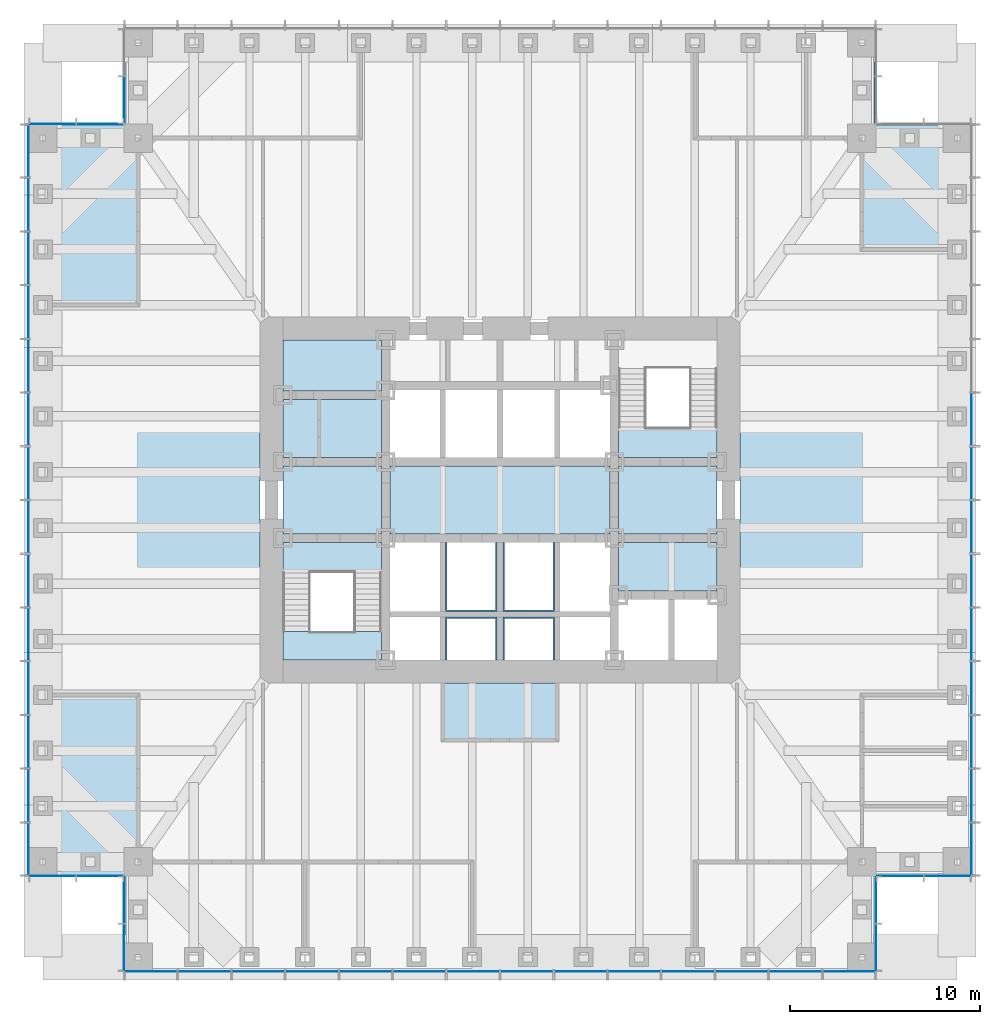
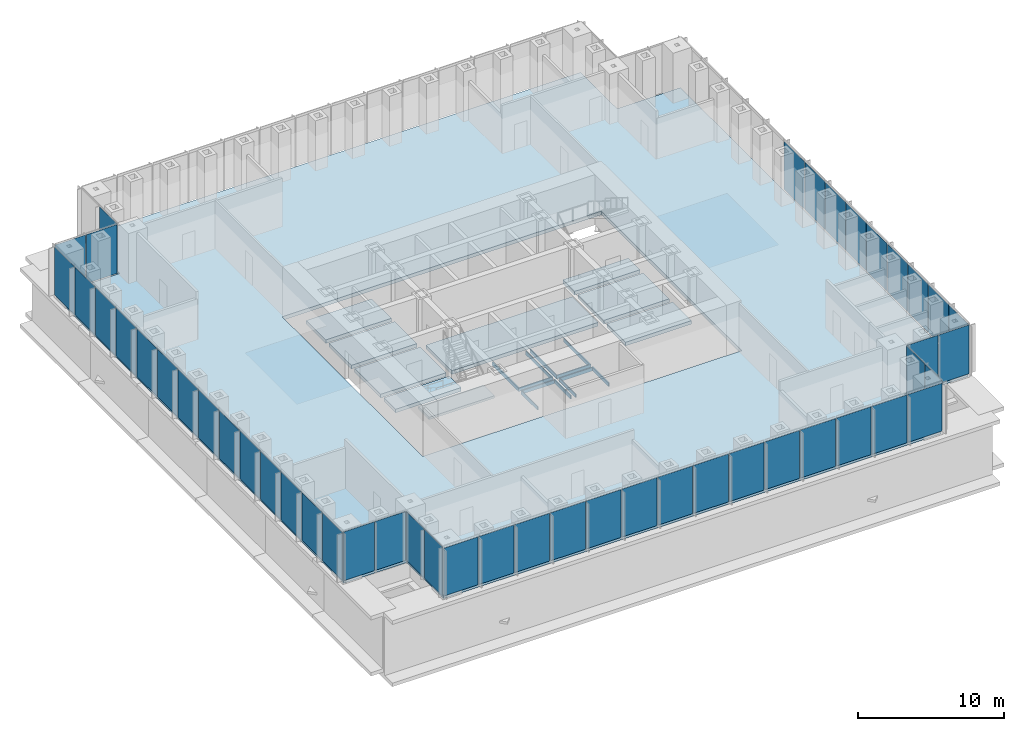
# One storey, part 7 of 16: 48 plates, 14 slabs, 10 elements without a shape of their own.
"""IFC4 building model written with IfcOpenShell, lengths in metres."""

import ifcopenshell
import ifcopenshell.guid

model = None  # the IFC model being written
_history = None  # IfcOwnerHistory: only IFC2X3 demands one
_inside = {}  # id of a spatial element -> (the spatial element, [elements in it])
_under = {}  # id of a project, library or spatial element -> (it, [spatial elements below it])
_declared = {}  # id of a project -> (the project, [libraries it declares])
_typed = {}  # id of a type object -> (the type object, [elements of that type])
_made_of = {}  # id of a material, layer set ... -> (it, [elements and type objects made of it])


def new_model(schema):
    """Start an empty IFC model of exactly this schema.

    Asked for "IFC4X3", IfcOpenShell would pick the latest addendum, in which some entities
    have other attributes; the version numbers below select the first issue.
    IFC2X3 requires an IfcOwnerHistory on every rooted entity: one is made here for all.
    """
    global model, _history
    if schema == "IFC4X3":
        model = ifcopenshell.file(schema_version=(4, 3, 0, 0))
    else:
        model = ifcopenshell.file(schema=schema)
    _inside.clear()
    _under.clear()
    _declared.clear()
    _typed.clear()
    _made_of.clear()
    _history = None
    if model.schema == "IFC2X3":
        org = make("IfcOrganization", Name="unknown")
        user = make(
            "IfcPersonAndOrganization",
            ThePerson=make("IfcPerson", FamilyName="unknown"),
            TheOrganization=org,
        )
        app = make(
            "IfcApplication",
            ApplicationDeveloper=org,
            Version="unknown",
            ApplicationFullName="unknown",
            ApplicationIdentifier="unknown",
        )
        _history = make(
            "IfcOwnerHistory",
            OwningUser=user,
            OwningApplication=app,
            ChangeAction="ADDED",
            CreationDate=0,
        )
    return model


def make(cls, **values):
    """One entity of the class cls with the attributes given. An attribute that is None is left unset."""
    return model.create_entity(
        cls, **{name: value for name, value in values.items() if value is not None}
    )


def rooted(cls, **values):
    """An entity with a GlobalId (a new one), such as an element, a storey or a relation."""
    return make(cls, GlobalId=ifcopenshell.guid.new(), OwnerHistory=_history, **values)


def si_unit(unit_type, name, prefix=None):
    """IfcSIUnit, for example si_unit("LENGTHUNIT", "METRE", prefix="MILLI")."""
    return make("IfcSIUnit", UnitType=unit_type, Prefix=prefix, Name=name)


def assignment(units):
    """IfcUnitAssignment: the units of a project."""
    return None if units is None else make("IfcUnitAssignment", Units=units)


def point(xyz):
    """IfcCartesianPoint."""
    return None if xyz is None else make("IfcCartesianPoint", Coordinates=xyz)


def direction(xyz):
    """IfcDirection."""
    return None if xyz is None else make("IfcDirection", DirectionRatios=xyz)


def frame(location, z_axis=None, x_axis=None):
    """IfcAxis2Placement3D, a coordinate frame: its origin and axes. An axis left out is left unset."""
    return make(
        "IfcAxis2Placement3D",
        Location=point(location),
        Axis=direction(z_axis),
        RefDirection=direction(x_axis),
    )


def frame_2d(location, x_axis=None):
    """IfcAxis2Placement2D, a coordinate frame in the plane: its origin and x axis."""
    return make(
        "IfcAxis2Placement2D", Location=point(location), RefDirection=direction(x_axis)
    )


def origin():
    """The frame at (0, 0, 0) with its axes left unset."""
    return frame((0.0, 0.0, 0.0))


def origin_2d():
    """The frame at (0, 0) in the plane with its x axis left unset."""
    return frame_2d((0.0, 0.0))


def place(relative_to, where):
    """IfcLocalPlacement: puts the frame where relative to a parent placement (None: the world)."""
    return make(
        "IfcLocalPlacement", PlacementRelTo=relative_to, RelativePlacement=where
    )


def context(
    kind, dimensions, precision=None, world=None, true_north=None, identifier=None
):
    """IfcGeometricRepresentationContext, for example the 3D "Model" context."""
    return make(
        "IfcGeometricRepresentationContext",
        ContextIdentifier=identifier,
        ContextType=kind,
        CoordinateSpaceDimension=dimensions,
        Precision=precision,
        WorldCoordinateSystem=world,
        TrueNorth=true_north,
    )


def subcontext(parent, identifier, kind, view, scale=None):
    """IfcGeometricRepresentationSubContext, for example "Body" below "Model"."""
    return make(
        "IfcGeometricRepresentationSubContext",
        ContextIdentifier=identifier,
        ContextType=kind,
        ParentContext=parent,
        TargetScale=scale,
        TargetView=view,
    )


def project(units=None, contexts=None):
    """IfcProject with its units and contexts."""
    return rooted(
        "IfcProject",
        Name="project",
        RepresentationContexts=contexts,
        UnitsInContext=assignment(units),
    )


def spatial(cls, under=None, at=None, **own):
    """A site, building, storey or space (cls), placed at a placement, below another one or the project."""
    s = rooted(cls, ObjectPlacement=at, **own)
    if under is not None:
        _under.setdefault(under.id(), (under, []))[1].append(s)
    return s


def polyline(points):
    """IfcPolyline through the points."""
    return make("IfcPolyline", Points=[point(p) for p in points])


def profile(cls, at=None, kind="AREA", **sizes):
    """A parametric profile (cls). Its sizes go by their IFC names, for example OverallWidth=200.0."""
    return make(cls, ProfileType=kind, Position=at, **sizes)


def rectangle(**sizes):
    """IfcRectangleProfileDef."""
    return profile("IfcRectangleProfileDef", **sizes)


def outline(outer, holes=None, kind="AREA"):
    """IfcArbitraryClosedProfileDef: a profile drawn as a closed curve; with holes, ...WithVoids."""
    if holes is None:
        return make("IfcArbitraryClosedProfileDef", ProfileType=kind, OuterCurve=outer)
    return make(
        "IfcArbitraryProfileDefWithVoids",
        ProfileType=kind,
        OuterCurve=outer,
        InnerCurves=holes,
    )


def extrude(swept, where, along, depth):
    """IfcExtrudedAreaSolid: the profile swept, set in the frame where, extruded along a direction by depth."""
    return make(
        "IfcExtrudedAreaSolid",
        SweptArea=swept,
        Position=where,
        ExtrudedDirection=direction(along),
        Depth=depth,
    )


def shape(context_of_items, identifier, shape_type, items):
    """IfcShapeRepresentation: the items that make up one representation, for example the "Body"."""
    return make(
        "IfcShapeRepresentation",
        ContextOfItems=context_of_items,
        RepresentationIdentifier=identifier,
        RepresentationType=shape_type,
        Items=items,
    )


def material(Name=None, Category=None):
    """IfcMaterial."""
    return make("IfcMaterial", Name=Name, Category=Category)


def layer(
    of_material, thickness, ventilated=None, Name=None, Category=None, Priority=None
):
    """IfcMaterialLayer: one layer of a wall or slab, of a material (None: an air gap)."""
    return make(
        "IfcMaterialLayer",
        Material=of_material,
        LayerThickness=thickness,
        IsVentilated=ventilated,
        Name=Name,
        Category=Category,
        Priority=Priority,
    )


def layer_set(layers, Name=None):
    """IfcMaterialLayerSet."""
    return make("IfcMaterialLayerSet", MaterialLayers=layers, LayerSetName=Name)


def made_of(thing, what):
    """Note that an element or type object is made of a material, layer set ...; save() writes the relation."""
    if what is not None:
        _made_of.setdefault(what.id(), (what, []))[1].append(thing)
    return thing


def type_object(cls, material=None, **own):
    """A type object (cls), such as IfcWallType, which elements share."""
    return made_of(rooted(cls, **own), material)


def element(
    cls,
    number,
    at=None,
    inside=None,
    cuts=None,
    type_object=None,
    material=None,
    context=None,
    identifier="Body",
    shape_type=None,
    held_by="IfcProductDefinitionShape",
    body=None,
    shapes=None,
    **own,
):
    """One element of the class cls, such as IfcWall. Its Tag is "e" and its number.

    at: its placement. inside: the storey or other place that contains it. cuts: it is an
    opening in that element (IfcRelVoidsElement). A single representation is given by context,
    identifier, shape_type and body (its items); several are given by shapes. held_by: the class
    of the entity that holds the representations. save() writes the other relations.
    """
    e = rooted(cls, Tag="e%d" % number, ObjectPlacement=at, **own)
    if body is not None:
        shapes = [shape(context, identifier, shape_type, body)]
    if shapes is not None:
        e.Representation = make(held_by, Representations=shapes)
    if inside is not None:
        _inside.setdefault(inside.id(), (inside, []))[1].append(e)
    if cuts is not None:
        rooted(
            "IfcRelVoidsElement", RelatingBuildingElement=cuts, RelatedOpeningElement=e
        )
    if type_object is not None:
        _typed.setdefault(type_object.id(), (type_object, []))[1].append(e)
    return made_of(e, material)


def aggregate(whole, parts):
    """IfcRelAggregates: a whole, such as a stair, and the parts it consists of."""
    return rooted("IfcRelAggregates", RelatingObject=whole, RelatedObjects=parts)


def save(model, path):
    """Write the relations noted so far, then the file.

    IfcRelAggregates (storeys below a building ...), IfcRelContainedInSpatialStructure (elements
    in a storey), IfcRelDefinesByType, IfcRelAssociatesMaterial and IfcRelDeclares: one each for
    every whole, place, type object, material and project.
    """
    for whole, parts in _under.values():
        aggregate(whole, parts)
    for where, things in _inside.values():
        rooted(
            "IfcRelContainedInSpatialStructure",
            RelatedElements=things,
            RelatingStructure=where,
        )
    for kind, things in _typed.values():
        rooted("IfcRelDefinesByType", RelatedObjects=things, RelatingType=kind)
    for what, things in _made_of.values():
        rooted("IfcRelAssociatesMaterial", RelatedObjects=things, RelatingMaterial=what)
    for by, libraries in _declared.values():
        rooted("IfcRelDeclares", RelatingContext=by, RelatedDefinitions=libraries)
    model.write(path)


model = new_model("IFC4")

# Units and contexts
model_context = context("Model", 3, precision=1e-05, world=origin(), true_north=direction((0.0, 1.0)))
body_context = subcontext(model_context, "Body", "Model", "MODEL_VIEW")
ifc_project = project(units=[si_unit("LENGTHUNIT", "METRE"), si_unit("AREAUNIT", "SQUARE_METRE"), si_unit("VOLUMEUNIT", "CUBIC_METRE"), si_unit("PLANEANGLEUNIT", "RADIAN"), si_unit("MASSUNIT", "GRAM", prefix="KILO")], contexts=[model_context])

# Site, building, storey
site_placement = place(None, origin())
site = spatial("IfcSite", under=ifc_project, at=site_placement, CompositionType="ELEMENT")
building_placement = place(site_placement, origin())
building = spatial("IfcBuilding", under=site, at=building_placement, Name="Daluyong Arena Tower", CompositionType="ELEMENT")
storey_placement = place(building_placement, frame((0.0, 0.0, 34.89990234375)))
storey = spatial("IfcBuildingStorey", under=building, at=storey_placement, Name="L06", CompositionType="ELEMENT", Elevation=34.89990234375)

# Curtain wall, plates
ifc_material_1 = material(Name="Bronze anodised aluminium and glass", Category="aluminium")
curtain_wall_type_1 = type_object("IfcCurtainWallType", Name="Curtain wall CW1", PredefinedType="USERDEFINED", material=ifc_material_1)
curtain_wall_1_placement = place(storey_placement, origin())
curtain_wall_1 = element("IfcCurtainWall", 1, at=curtain_wall_1_placement, inside=storey, type_object=curtain_wall_type_1, Name="curtain wall L06 S", ObjectType="UNITISED CURTAIN WALL", PredefinedType="USERDEFINED")
ifc_material_2 = material(Name="Tinted double glazed unit", Category="glass")
ifc_layer_1 = layer(ifc_material_2, 0.031982421875)
ifc_layer_set_1 = layer_set([ifc_layer_1], Name="Tinted double glazed unit")
plate_type_1 = type_object("IfcPlateType", Name="CW1 panel 32", PredefinedType="CURTAIN_PANEL", material=ifc_layer_set_1)
plate_1_placement = place(storey_placement, frame((37.6806640625, 55.25, 0.0), z_axis=(0.0, 0.0, 1.0), x_axis=(1.0, 0.0, 0.0)))
plate_1 = element("IfcPlate", 2, at=plate_1_placement, type_object=plate_type_1, Name="curtain wall L06 S panel 1", PredefinedType="CURTAIN_PANEL", context=body_context, shape_type="SweptSolid", body=[
    extrude(rectangle(XDim=2.701416015625, YDim=0.031982421875, at=origin_2d()), origin(), (0.0, 0.0, 1.0), 4.0),
])
plate_2_placement = place(storey_placement, frame((40.482177734375, 55.25, 0.0), z_axis=(0.0, 0.0, 1.0), x_axis=(1.0, 0.0, 0.0)))
plate_2 = element("IfcPlate", 3, at=plate_2_placement, type_object=plate_type_1, Name="curtain wall L06 S panel 2", PredefinedType="CURTAIN_PANEL", context=body_context, shape_type="SweptSolid", body=[
    extrude(rectangle(XDim=2.741455078125, YDim=0.031982421875, at=origin_2d()), origin(), (0.0, 0.0, 1.0), 4.0),
])
plate_3_placement = place(storey_placement, frame((43.303466796875, 55.25, 0.0), z_axis=(0.0, 0.0, 1.0), x_axis=(1.0, 0.0, 0.0)))
plate_3 = element("IfcPlate", 4, at=plate_3_placement, type_object=plate_type_1, Name="curtain wall L06 S panel 3", PredefinedType="CURTAIN_PANEL", context=body_context, shape_type="SweptSolid", body=[
    extrude(rectangle(XDim=2.741455078125, YDim=0.031982421875, at=origin_2d()), origin(), (0.0, 0.0, 1.0), 4.0),
])
plate_4_placement = place(storey_placement, frame((46.125, 55.25, 0.0), z_axis=(0.0, 0.0, 1.0), x_axis=(1.0, 0.0, 0.0)))
plate_4 = element("IfcPlate", 5, at=plate_4_placement, type_object=plate_type_1, Name="curtain wall L06 S panel 4", PredefinedType="CURTAIN_PANEL", context=body_context, shape_type="SweptSolid", body=[
    extrude(rectangle(XDim=2.741455078125, YDim=0.031982421875, at=origin_2d()), origin(), (0.0, 0.0, 1.0), 4.0),
])
plate_5_placement = place(storey_placement, frame((48.946533203125, 55.25, 0.0), z_axis=(0.0, 0.0, 1.0), x_axis=(1.0, 0.0, 0.0)))
plate_5 = element("IfcPlate", 6, at=plate_5_placement, type_object=plate_type_1, Name="curtain wall L06 S panel 5", PredefinedType="CURTAIN_PANEL", context=body_context, shape_type="SweptSolid", body=[
    extrude(rectangle(XDim=2.741455078125, YDim=0.031982421875, at=origin_2d()), origin(), (0.0, 0.0, 1.0), 4.0),
])
plate_6_placement = place(storey_placement, frame((51.767822265625, 55.25, 0.0), z_axis=(0.0, 0.0, 1.0), x_axis=(1.0, 0.0, 0.0)))
plate_6 = element("IfcPlate", 7, at=plate_6_placement, type_object=plate_type_1, Name="curtain wall L06 S panel 6", PredefinedType="CURTAIN_PANEL", context=body_context, shape_type="SweptSolid", body=[
    extrude(rectangle(XDim=2.741455078125, YDim=0.031982421875, at=origin_2d()), origin(), (0.0, 0.0, 1.0), 4.0),
])
plate_7_placement = place(storey_placement, frame((54.58935546875, 55.25, 0.0), z_axis=(0.0, 0.0, 1.0), x_axis=(1.0, 0.0, 0.0)))
plate_7 = element("IfcPlate", 8, at=plate_7_placement, type_object=plate_type_1, Name="curtain wall L06 S panel 7", PredefinedType="CURTAIN_PANEL", context=body_context, shape_type="SweptSolid", body=[
    extrude(rectangle(XDim=2.741455078125, YDim=0.031982421875, at=origin_2d()), origin(), (0.0, 0.0, 1.0), 4.0),
])
plate_8_placement = place(storey_placement, frame((57.41064453125, 55.25, 0.0), z_axis=(0.0, 0.0, 1.0), x_axis=(1.0, 0.0, 0.0)))
plate_8 = element("IfcPlate", 9, at=plate_8_placement, type_object=plate_type_1, Name="curtain wall L06 S panel 8", PredefinedType="CURTAIN_PANEL", context=body_context, shape_type="SweptSolid", body=[
    extrude(rectangle(XDim=2.741455078125, YDim=0.031982421875, at=origin_2d()), origin(), (0.0, 0.0, 1.0), 4.0),
])
plate_9_placement = place(storey_placement, frame((60.232177734375, 55.25, 0.0), z_axis=(0.0, 0.0, 1.0), x_axis=(1.0, 0.0, 0.0)))
plate_9 = element("IfcPlate", 10, at=plate_9_placement, type_object=plate_type_1, Name="curtain wall L06 S panel 9", PredefinedType="CURTAIN_PANEL", context=body_context, shape_type="SweptSolid", body=[
    extrude(rectangle(XDim=2.741455078125, YDim=0.031982421875, at=origin_2d()), origin(), (0.0, 0.0, 1.0), 4.0),
])
plate_10_placement = place(storey_placement, frame((63.053466796875, 55.25, 0.0), z_axis=(0.0, 0.0, 1.0), x_axis=(1.0, 0.0, 0.0)))
plate_10 = element("IfcPlate", 11, at=plate_10_placement, type_object=plate_type_1, Name="curtain wall L06 S panel 10", PredefinedType="CURTAIN_PANEL", context=body_context, shape_type="SweptSolid", body=[
    extrude(rectangle(XDim=2.741455078125, YDim=0.031982421875, at=origin_2d()), origin(), (0.0, 0.0, 1.0), 4.0),
])
plate_11_placement = place(storey_placement, frame((65.875, 55.25, 0.0), z_axis=(0.0, 0.0, 1.0), x_axis=(1.0, 0.0, 0.0)))
plate_11 = element("IfcPlate", 12, at=plate_11_placement, type_object=plate_type_1, Name="curtain wall L06 S panel 11", PredefinedType="CURTAIN_PANEL", context=body_context, shape_type="SweptSolid", body=[
    extrude(rectangle(XDim=2.741455078125, YDim=0.031982421875, at=origin_2d()), origin(), (0.0, 0.0, 1.0), 4.0),
])
plate_12_placement = place(storey_placement, frame((68.696533203125, 55.25, 0.0), z_axis=(0.0, 0.0, 1.0), x_axis=(1.0, 0.0, 0.0)))
plate_12 = element("IfcPlate", 13, at=plate_12_placement, type_object=plate_type_1, Name="curtain wall L06 S panel 12", PredefinedType="CURTAIN_PANEL", context=body_context, shape_type="SweptSolid", body=[
    extrude(rectangle(XDim=2.741455078125, YDim=0.031982421875, at=origin_2d()), origin(), (0.0, 0.0, 1.0), 4.0),
])
plate_13_placement = place(storey_placement, frame((71.517822265625, 55.25, 0.0), z_axis=(0.0, 0.0, 1.0), x_axis=(1.0, 0.0, 0.0)))
plate_13 = element("IfcPlate", 14, at=plate_13_placement, type_object=plate_type_1, Name="curtain wall L06 S panel 13", PredefinedType="CURTAIN_PANEL", context=body_context, shape_type="SweptSolid", body=[
    extrude(rectangle(XDim=2.741455078125, YDim=0.031982421875, at=origin_2d()), origin(), (0.0, 0.0, 1.0), 4.0),
])
plate_14_placement = place(storey_placement, frame((74.3193359375, 55.25, 0.0), z_axis=(0.0, 0.0, 1.0), x_axis=(1.0, 0.0, 0.0)))
plate_14 = element("IfcPlate", 15, at=plate_14_placement, type_object=plate_type_1, Name="curtain wall L06 S panel 14", PredefinedType="CURTAIN_PANEL", context=body_context, shape_type="SweptSolid", body=[
    extrude(rectangle(XDim=2.701416015625, YDim=0.031982421875, at=origin_2d()), origin(), (0.0, 0.0, 1.0), 4.0),
])
aggregate(curtain_wall_1, [plate_1, plate_2, plate_3, plate_4, plate_5, plate_6, plate_7, plate_8, plate_9, plate_10, plate_11, plate_12, plate_13, plate_14])

curtain_wall_2_placement = place(storey_placement, origin())
curtain_wall_2 = element("IfcCurtainWall", 16, at=curtain_wall_2_placement, inside=storey, type_object=curtain_wall_type_1, Name="curtain wall L06 E", ObjectType="UNITISED CURTAIN WALL", PredefinedType="USERDEFINED")
plate_15_placement = place(storey_placement, frame((80.75, 61.6806640625, 0.0), z_axis=(0.0, 0.0, 1.0), x_axis=(0.0, 1.0, 0.0)))
plate_15 = element("IfcPlate", 17, at=plate_15_placement, type_object=plate_type_1, Name="curtain wall L06 E panel 1", PredefinedType="CURTAIN_PANEL", context=body_context, shape_type="SweptSolid", body=[
    extrude(rectangle(XDim=2.701416015625, YDim=0.031982421875, at=origin_2d()), origin(), (0.0, 0.0, 1.0), 4.0),
])
plate_16_placement = place(storey_placement, frame((80.75, 64.482177734375, 0.0), z_axis=(0.0, 0.0, 1.0), x_axis=(0.0, 1.0, 0.0)))
plate_16 = element("IfcPlate", 18, at=plate_16_placement, type_object=plate_type_1, Name="curtain wall L06 E panel 2", PredefinedType="CURTAIN_PANEL", context=body_context, shape_type="SweptSolid", body=[
    extrude(rectangle(XDim=2.741455078125, YDim=0.031982421875, at=origin_2d()), origin(), (0.0, 0.0, 1.0), 4.0),
])
plate_17_placement = place(storey_placement, frame((80.75, 67.303466796875, 0.0), z_axis=(0.0, 0.0, 1.0), x_axis=(0.0, 1.0, 0.0)))
plate_17 = element("IfcPlate", 19, at=plate_17_placement, type_object=plate_type_1, Name="curtain wall L06 E panel 3", PredefinedType="CURTAIN_PANEL", context=body_context, shape_type="SweptSolid", body=[
    extrude(rectangle(XDim=2.741455078125, YDim=0.031982421875, at=origin_2d()), origin(), (0.0, 0.0, 1.0), 4.0),
])
plate_18_placement = place(storey_placement, frame((80.75, 70.125, 0.0), z_axis=(0.0, 0.0, 1.0), x_axis=(0.0, 1.0, 0.0)))
plate_18 = element("IfcPlate", 20, at=plate_18_placement, type_object=plate_type_1, Name="curtain wall L06 E panel 4", PredefinedType="CURTAIN_PANEL", context=body_context, shape_type="SweptSolid", body=[
    extrude(rectangle(XDim=2.741455078125, YDim=0.031982421875, at=origin_2d()), origin(), (0.0, 0.0, 1.0), 4.0),
])
plate_19_placement = place(storey_placement, frame((80.75, 72.946533203125, 0.0), z_axis=(0.0, 0.0, 1.0), x_axis=(0.0, 1.0, 0.0)))
plate_19 = element("IfcPlate", 21, at=plate_19_placement, type_object=plate_type_1, Name="curtain wall L06 E panel 5", PredefinedType="CURTAIN_PANEL", context=body_context, shape_type="SweptSolid", body=[
    extrude(rectangle(XDim=2.741455078125, YDim=0.031982421875, at=origin_2d()), origin(), (0.0, 0.0, 1.0), 4.0),
])
plate_20_placement = place(storey_placement, frame((80.75, 75.767822265625, 0.0), z_axis=(0.0, 0.0, 1.0), x_axis=(0.0, 1.0, 0.0)))
plate_20 = element("IfcPlate", 22, at=plate_20_placement, type_object=plate_type_1, Name="curtain wall L06 E panel 6", PredefinedType="CURTAIN_PANEL", context=body_context, shape_type="SweptSolid", body=[
    extrude(rectangle(XDim=2.741455078125, YDim=0.031982421875, at=origin_2d()), origin(), (0.0, 0.0, 1.0), 4.0),
])
plate_21_placement = place(storey_placement, frame((80.75, 78.58935546875, 0.0), z_axis=(0.0, 0.0, 1.0), x_axis=(0.0, 1.0, 0.0)))
plate_21 = element("IfcPlate", 23, at=plate_21_placement, type_object=plate_type_1, Name="curtain wall L06 E panel 7", PredefinedType="CURTAIN_PANEL", context=body_context, shape_type="SweptSolid", body=[
    extrude(rectangle(XDim=2.741455078125, YDim=0.031982421875, at=origin_2d()), origin(), (0.0, 0.0, 1.0), 4.0),
])
plate_22_placement = place(storey_placement, frame((80.75, 81.41064453125, 0.0), z_axis=(0.0, 0.0, 1.0), x_axis=(0.0, 1.0, 0.0)))
plate_22 = element("IfcPlate", 24, at=plate_22_placement, type_object=plate_type_1, Name="curtain wall L06 E panel 8", PredefinedType="CURTAIN_PANEL", context=body_context, shape_type="SweptSolid", body=[
    extrude(rectangle(XDim=2.741455078125, YDim=0.031982421875, at=origin_2d()), origin(), (0.0, 0.0, 1.0), 4.0),
])
plate_23_placement = place(storey_placement, frame((80.75, 84.232177734375, 0.0), z_axis=(0.0, 0.0, 1.0), x_axis=(0.0, 1.0, 0.0)))
plate_23 = element("IfcPlate", 25, at=plate_23_placement, type_object=plate_type_1, Name="curtain wall L06 E panel 9", PredefinedType="CURTAIN_PANEL", context=body_context, shape_type="SweptSolid", body=[
    extrude(rectangle(XDim=2.741455078125, YDim=0.031982421875, at=origin_2d()), origin(), (0.0, 0.0, 1.0), 4.0),
])
aggregate(curtain_wall_2, [plate_15, plate_16, plate_17, plate_18, plate_19, plate_20, plate_21, plate_22, plate_23])

curtain_wall_3_placement = place(storey_placement, origin())
curtain_wall_3 = element("IfcCurtainWall", 26, at=curtain_wall_3_placement, inside=storey, type_object=curtain_wall_type_1, Name="curtain wall L06 W", ObjectType="UNITISED CURTAIN WALL", PredefinedType="USERDEFINED")
plate_24_placement = place(storey_placement, frame((31.25, 98.3193359375, 0.0), z_axis=(0.0, 0.0, 1.0), x_axis=(0.0, -1.0, 0.0)))
plate_24 = element("IfcPlate", 27, at=plate_24_placement, type_object=plate_type_1, Name="curtain wall L06 W panel 1", PredefinedType="CURTAIN_PANEL", context=body_context, shape_type="SweptSolid", body=[
    extrude(rectangle(XDim=2.701416015625, YDim=0.031982421875, at=origin_2d()), origin(), (0.0, 0.0, 1.0), 4.0),
])
plate_25_placement = place(storey_placement, frame((31.25, 95.517822265625, 0.0), z_axis=(0.0, 0.0, 1.0), x_axis=(0.0, -1.0, 0.0)))
plate_25 = element("IfcPlate", 28, at=plate_25_placement, type_object=plate_type_1, Name="curtain wall L06 W panel 2", PredefinedType="CURTAIN_PANEL", context=body_context, shape_type="SweptSolid", body=[
    extrude(rectangle(XDim=2.741455078125, YDim=0.031982421875, at=origin_2d()), origin(), (0.0, 0.0, 1.0), 4.0),
])
plate_26_placement = place(storey_placement, frame((31.25, 92.696533203125, 0.0), z_axis=(0.0, 0.0, 1.0), x_axis=(0.0, -1.0, 0.0)))
plate_26 = element("IfcPlate", 29, at=plate_26_placement, type_object=plate_type_1, Name="curtain wall L06 W panel 3", PredefinedType="CURTAIN_PANEL", context=body_context, shape_type="SweptSolid", body=[
    extrude(rectangle(XDim=2.741455078125, YDim=0.031982421875, at=origin_2d()), origin(), (0.0, 0.0, 1.0), 4.0),
])
plate_27_placement = place(storey_placement, frame((31.25, 89.875, 0.0), z_axis=(0.0, 0.0, 1.0), x_axis=(0.0, -1.0, 0.0)))
plate_27 = element("IfcPlate", 30, at=plate_27_placement, type_object=plate_type_1, Name="curtain wall L06 W panel 4", PredefinedType="CURTAIN_PANEL", context=body_context, shape_type="SweptSolid", body=[
    extrude(rectangle(XDim=2.741455078125, YDim=0.031982421875, at=origin_2d()), origin(), (0.0, 0.0, 1.0), 4.0),
])
plate_28_placement = place(storey_placement, frame((31.25, 87.053466796875, 0.0), z_axis=(0.0, 0.0, 1.0), x_axis=(0.0, -1.0, 0.0)))
plate_28 = element("IfcPlate", 31, at=plate_28_placement, type_object=plate_type_1, Name="curtain wall L06 W panel 5", PredefinedType="CURTAIN_PANEL", context=body_context, shape_type="SweptSolid", body=[
    extrude(rectangle(XDim=2.741455078125, YDim=0.031982421875, at=origin_2d()), origin(), (0.0, 0.0, 1.0), 4.0),
])
plate_29_placement = place(storey_placement, frame((31.25, 84.232177734375, 0.0), z_axis=(0.0, 0.0, 1.0), x_axis=(0.0, -1.0, 0.0)))
plate_29 = element("IfcPlate", 32, at=plate_29_placement, type_object=plate_type_1, Name="curtain wall L06 W panel 6", PredefinedType="CURTAIN_PANEL", context=body_context, shape_type="SweptSolid", body=[
    extrude(rectangle(XDim=2.741455078125, YDim=0.031982421875, at=origin_2d()), origin(), (0.0, 0.0, 1.0), 4.0),
])
plate_30_placement = place(storey_placement, frame((31.25, 81.41064453125, 0.0), z_axis=(0.0, 0.0, 1.0), x_axis=(0.0, -1.0, 0.0)))
plate_30 = element("IfcPlate", 33, at=plate_30_placement, type_object=plate_type_1, Name="curtain wall L06 W panel 7", PredefinedType="CURTAIN_PANEL", context=body_context, shape_type="SweptSolid", body=[
    extrude(rectangle(XDim=2.741455078125, YDim=0.031982421875, at=origin_2d()), origin(), (0.0, 0.0, 1.0), 4.0),
])
plate_31_placement = place(storey_placement, frame((31.25, 78.58935546875, 0.0), z_axis=(0.0, 0.0, 1.0), x_axis=(0.0, -1.0, 0.0)))
plate_31 = element("IfcPlate", 34, at=plate_31_placement, type_object=plate_type_1, Name="curtain wall L06 W panel 8", PredefinedType="CURTAIN_PANEL", context=body_context, shape_type="SweptSolid", body=[
    extrude(rectangle(XDim=2.741455078125, YDim=0.031982421875, at=origin_2d()), origin(), (0.0, 0.0, 1.0), 4.0),
])
plate_32_placement = place(storey_placement, frame((31.25, 75.767822265625, 0.0), z_axis=(0.0, 0.0, 1.0), x_axis=(0.0, -1.0, 0.0)))
plate_32 = element("IfcPlate", 35, at=plate_32_placement, type_object=plate_type_1, Name="curtain wall L06 W panel 9", PredefinedType="CURTAIN_PANEL", context=body_context, shape_type="SweptSolid", body=[
    extrude(rectangle(XDim=2.741455078125, YDim=0.031982421875, at=origin_2d()), origin(), (0.0, 0.0, 1.0), 4.0),
])
plate_33_placement = place(storey_placement, frame((31.25, 72.946533203125, 0.0), z_axis=(0.0, 0.0, 1.0), x_axis=(0.0, -1.0, 0.0)))
plate_33 = element("IfcPlate", 36, at=plate_33_placement, type_object=plate_type_1, Name="curtain wall L06 W panel 10", PredefinedType="CURTAIN_PANEL", context=body_context, shape_type="SweptSolid", body=[
    extrude(rectangle(XDim=2.741455078125, YDim=0.031982421875, at=origin_2d()), origin(), (0.0, 0.0, 1.0), 4.0),
])
plate_34_placement = place(storey_placement, frame((31.25, 70.125, 0.0), z_axis=(0.0, 0.0, 1.0), x_axis=(0.0, -1.0, 0.0)))
plate_34 = element("IfcPlate", 37, at=plate_34_placement, type_object=plate_type_1, Name="curtain wall L06 W panel 11", PredefinedType="CURTAIN_PANEL", context=body_context, shape_type="SweptSolid", body=[
    extrude(rectangle(XDim=2.741455078125, YDim=0.031982421875, at=origin_2d()), origin(), (0.0, 0.0, 1.0), 4.0),
])
plate_35_placement = place(storey_placement, frame((31.25, 67.303466796875, 0.0), z_axis=(0.0, 0.0, 1.0), x_axis=(0.0, -1.0, 0.0)))
plate_35 = element("IfcPlate", 38, at=plate_35_placement, type_object=plate_type_1, Name="curtain wall L06 W panel 12", PredefinedType="CURTAIN_PANEL", context=body_context, shape_type="SweptSolid", body=[
    extrude(rectangle(XDim=2.741455078125, YDim=0.031982421875, at=origin_2d()), origin(), (0.0, 0.0, 1.0), 4.0),
])
plate_36_placement = place(storey_placement, frame((31.25, 64.482177734375, 0.0), z_axis=(0.0, 0.0, 1.0), x_axis=(0.0, -1.0, 0.0)))
plate_36 = element("IfcPlate", 39, at=plate_36_placement, type_object=plate_type_1, Name="curtain wall L06 W panel 13", PredefinedType="CURTAIN_PANEL", context=body_context, shape_type="SweptSolid", body=[
    extrude(rectangle(XDim=2.741455078125, YDim=0.031982421875, at=origin_2d()), origin(), (0.0, 0.0, 1.0), 4.0),
])
plate_37_placement = place(storey_placement, frame((31.25, 61.6806640625, 0.0), z_axis=(0.0, 0.0, 1.0), x_axis=(0.0, -1.0, 0.0)))
plate_37 = element("IfcPlate", 40, at=plate_37_placement, type_object=plate_type_1, Name="curtain wall L06 W panel 14", PredefinedType="CURTAIN_PANEL", context=body_context, shape_type="SweptSolid", body=[
    extrude(rectangle(XDim=2.701416015625, YDim=0.031982421875, at=origin_2d()), origin(), (0.0, 0.0, 1.0), 4.0),
])
aggregate(curtain_wall_3, [plate_24, plate_25, plate_26, plate_27, plate_28, plate_29, plate_30, plate_31, plate_32, plate_33, plate_34, plate_35, plate_36, plate_37])

ifc_material_3 = material(Name="Bronze anodised aluminium and glass", Category="aluminium")
curtain_wall_type_2 = type_object("IfcCurtainWallType", Name="Curtain wall CW7", PredefinedType="USERDEFINED", material=ifc_material_3)
curtain_wall_4_placement = place(storey_placement, origin())
curtain_wall_4 = element("IfcCurtainWall", 41, at=curtain_wall_4_placement, inside=storey, type_object=curtain_wall_type_2, Name="curtain wall L06 SE-E", ObjectType="UNITISED CURTAIN WALL", PredefinedType="USERDEFINED")
ifc_material_4 = material(Name="Tinted double glazed unit", Category="glass")
ifc_layer_2 = layer(ifc_material_4, 0.028076171875)
ifc_layer_set_2 = layer_set([ifc_layer_2], Name="Tinted double glazed unit")
plate_type_2 = type_object("IfcPlateType", Name="CW7 panel 28", PredefinedType="CURTAIN_PANEL", material=ifc_layer_set_2)
plate_38_placement = place(storey_placement, frame((75.75, 56.514892578125, 0.0), z_axis=(0.0, 0.0, 1.0), x_axis=(0.0, 1.0, 0.0)))
plate_38 = element("IfcPlate", 42, at=plate_38_placement, type_object=plate_type_2, Name="curtain wall L06 SE-E panel 1", PredefinedType="CURTAIN_PANEL", context=body_context, shape_type="SweptSolid", body=[
    extrude(rectangle(XDim=2.409912109375, YDim=0.028076171875, at=origin_2d()), origin(), (0.0, 0.0, 1.0), 4.080078125),
])
plate_39_placement = place(storey_placement, frame((75.75, 58.985107421875, 0.0), z_axis=(0.0, 0.0, 1.0), x_axis=(0.0, 1.0, 0.0)))
plate_39 = element("IfcPlate", 43, at=plate_39_placement, type_object=plate_type_2, Name="curtain wall L06 SE-E panel 2", PredefinedType="CURTAIN_PANEL", context=body_context, shape_type="SweptSolid", body=[
    extrude(rectangle(XDim=2.409912109375, YDim=0.028076171875, at=origin_2d()), origin(), (0.0, 0.0, 1.0), 4.080078125),
])
aggregate(curtain_wall_4, [plate_38, plate_39])

curtain_wall_5_placement = place(storey_placement, origin())
curtain_wall_5 = element("IfcCurtainWall", 44, at=curtain_wall_5_placement, inside=storey, type_object=curtain_wall_type_2, Name="curtain wall L06 SE-S", ObjectType="UNITISED CURTAIN WALL", PredefinedType="USERDEFINED")
plate_40_placement = place(storey_placement, frame((77.014892578125, 60.25, 0.0), z_axis=(0.0, 0.0, 1.0), x_axis=(1.0, 0.0, 0.0)))
plate_40 = element("IfcPlate", 45, at=plate_40_placement, type_object=plate_type_2, Name="curtain wall L06 SE-S panel 1", PredefinedType="CURTAIN_PANEL", context=body_context, shape_type="SweptSolid", body=[
    extrude(rectangle(XDim=2.409912109375, YDim=0.028076171875, at=origin_2d()), origin(), (0.0, 0.0, 1.0), 4.080078125),
])
plate_41_placement = place(storey_placement, frame((79.485107421875, 60.25, 0.0), z_axis=(0.0, 0.0, 1.0), x_axis=(1.0, 0.0, 0.0)))
plate_41 = element("IfcPlate", 46, at=plate_41_placement, type_object=plate_type_2, Name="curtain wall L06 SE-S panel 2", PredefinedType="CURTAIN_PANEL", context=body_context, shape_type="SweptSolid", body=[
    extrude(rectangle(XDim=2.409912109375, YDim=0.028076171875, at=origin_2d()), origin(), (0.0, 0.0, 1.0), 4.080078125),
])
aggregate(curtain_wall_5, [plate_40, plate_41])

# Curtain wall, plate
curtain_wall_6_placement = place(storey_placement, origin())
curtain_wall_6 = element("IfcCurtainWall", 47, at=curtain_wall_6_placement, inside=storey, type_object=curtain_wall_type_2, Name="curtain wall L06 NW-W", ObjectType="UNITISED CURTAIN WALL", PredefinedType="USERDEFINED")
plate_42_placement = place(storey_placement, frame((36.25, 101.014892578125, 0.0), z_axis=(0.0, 0.0, 1.0), x_axis=(0.0, -1.0, 0.0)))
plate_42 = element("IfcPlate", 48, at=plate_42_placement, type_object=plate_type_2, Name="curtain wall L06 NW-W panel 2", PredefinedType="CURTAIN_PANEL", context=body_context, shape_type="SweptSolid", body=[
    extrude(rectangle(XDim=2.409912109375, YDim=0.028076171875, at=origin_2d()), origin(), (0.0, 0.0, 1.0), 4.080078125),
])
aggregate(curtain_wall_6, [plate_42])

# Curtain wall, plates
curtain_wall_7_placement = place(storey_placement, origin())
curtain_wall_7 = element("IfcCurtainWall", 49, at=curtain_wall_7_placement, inside=storey, type_object=curtain_wall_type_2, Name="curtain wall L06 NW-N", ObjectType="UNITISED CURTAIN WALL", PredefinedType="USERDEFINED")
plate_43_placement = place(storey_placement, frame((34.985107421875, 99.75, 0.0), z_axis=(0.0, 0.0, 1.0), x_axis=(-1.0, 0.0, 0.0)))
plate_43 = element("IfcPlate", 50, at=plate_43_placement, type_object=plate_type_2, Name="curtain wall L06 NW-N panel 1", PredefinedType="CURTAIN_PANEL", context=body_context, shape_type="SweptSolid", body=[
    extrude(rectangle(XDim=2.409912109375, YDim=0.028076171875, at=origin_2d()), origin(), (0.0, 0.0, 1.0), 4.080078125),
])
plate_44_placement = place(storey_placement, frame((32.514892578125, 99.75, 0.0), z_axis=(0.0, 0.0, 1.0), x_axis=(-1.0, 0.0, 0.0)))
plate_44 = element("IfcPlate", 51, at=plate_44_placement, type_object=plate_type_2, Name="curtain wall L06 NW-N panel 2", PredefinedType="CURTAIN_PANEL", context=body_context, shape_type="SweptSolid", body=[
    extrude(rectangle(XDim=2.409912109375, YDim=0.028076171875, at=origin_2d()), origin(), (0.0, 0.0, 1.0), 4.080078125),
])
aggregate(curtain_wall_7, [plate_43, plate_44])

curtain_wall_8_placement = place(storey_placement, origin())
curtain_wall_8 = element("IfcCurtainWall", 52, at=curtain_wall_8_placement, inside=storey, type_object=curtain_wall_type_2, Name="curtain wall L06 SW-S", ObjectType="UNITISED CURTAIN WALL", PredefinedType="USERDEFINED")
plate_45_placement = place(storey_placement, frame((32.514892578125, 60.25, 0.0), z_axis=(0.0, 0.0, 1.0), x_axis=(1.0, 0.0, 0.0)))
plate_45 = element("IfcPlate", 53, at=plate_45_placement, type_object=plate_type_2, Name="curtain wall L06 SW-S panel 1", PredefinedType="CURTAIN_PANEL", context=body_context, shape_type="SweptSolid", body=[
    extrude(rectangle(XDim=2.409912109375, YDim=0.028076171875, at=origin_2d()), origin(), (0.0, 0.0, 1.0), 4.080078125),
])
plate_46_placement = place(storey_placement, frame((34.985107421875, 60.25, 0.0), z_axis=(0.0, 0.0, 1.0), x_axis=(1.0, 0.0, 0.0)))
plate_46 = element("IfcPlate", 54, at=plate_46_placement, type_object=plate_type_2, Name="curtain wall L06 SW-S panel 2", PredefinedType="CURTAIN_PANEL", context=body_context, shape_type="SweptSolid", body=[
    extrude(rectangle(XDim=2.409912109375, YDim=0.028076171875, at=origin_2d()), origin(), (0.0, 0.0, 1.0), 4.080078125),
])
aggregate(curtain_wall_8, [plate_45, plate_46])

curtain_wall_9_placement = place(storey_placement, origin())
curtain_wall_9 = element("IfcCurtainWall", 55, at=curtain_wall_9_placement, inside=storey, type_object=curtain_wall_type_2, Name="curtain wall L06 SW-W", ObjectType="UNITISED CURTAIN WALL", PredefinedType="USERDEFINED")
plate_47_placement = place(storey_placement, frame((36.25, 58.985107421875, 0.0), z_axis=(0.0, 0.0, 1.0), x_axis=(0.0, -1.0, 0.0)))
plate_47 = element("IfcPlate", 56, at=plate_47_placement, type_object=plate_type_2, Name="curtain wall L06 SW-W panel 1", PredefinedType="CURTAIN_PANEL", context=body_context, shape_type="SweptSolid", body=[
    extrude(rectangle(XDim=2.409912109375, YDim=0.028076171875, at=origin_2d()), origin(), (0.0, 0.0, 1.0), 4.080078125),
])
plate_48_placement = place(storey_placement, frame((36.25, 56.514892578125, 0.0), z_axis=(0.0, 0.0, 1.0), x_axis=(0.0, -1.0, 0.0)))
plate_48 = element("IfcPlate", 57, at=plate_48_placement, type_object=plate_type_2, Name="curtain wall L06 SW-W panel 2", PredefinedType="CURTAIN_PANEL", context=body_context, shape_type="SweptSolid", body=[
    extrude(rectangle(XDim=2.409912109375, YDim=0.028076171875, at=origin_2d()), origin(), (0.0, 0.0, 1.0), 4.080078125),
])
aggregate(curtain_wall_9, [plate_47, plate_48])

# Stair, slab
ifc_material_5 = material(Name="Concrete fc' 35 MPa", Category="concrete")
stair_type = type_object("IfcStairType", Name="Core exit stair", PredefinedType="HALF_TURN_STAIR", material=ifc_material_5)
stair_placement = place(storey_placement, origin())
stair = element("IfcStair", 58, at=stair_placement, inside=storey, type_object=stair_type, Name="exit stair A L06", PredefinedType="HALF_TURN_STAIR")
ifc_material_6 = material(Name="Concrete fc' 35 MPa", Category="concrete")
ifc_layer_3 = layer(ifc_material_6, 0.199951171875)
ifc_layer_set_3 = layer_set([ifc_layer_3], Name="Concrete fc' 35 MPa")
slab_type_1 = type_object("IfcSlabType", Name="Stair landing 200", PredefinedType="LANDING", material=ifc_layer_set_3)
slab_1_placement = place(storey_placement, frame((0.0, 0.0, 1.900146484375)))
slab_1 = element("IfcSlab", 59, at=slab_1_placement, type_object=slab_type_1, Name="STA landing 1", PredefinedType="LANDING", context=body_context, shape_type="SweptSolid", body=[
    extrude(outline(polyline([(44.60009765625, 71.60009765625), (49.77490234375, 71.60009765625), (49.77490234375, 73.094970703125), (44.60009765625, 73.094970703125), (44.60009765625, 71.60009765625)])), origin(), (0.0, 0.0, 1.0), 0.199951171875),
])
aggregate(stair, [slab_1])

# Slabs
ifc_material_7 = material(Name="Concrete fc' 35 MPa", Category="concrete")
ifc_layer_4 = layer(ifc_material_7, 0.300048828125)
ifc_layer_set_4 = layer_set([ifc_layer_4], Name="Concrete fc' 35 MPa")
slab_type_2 = type_object("IfcSlabType", Name="Transfer floor slab 300", PredefinedType="FLOOR", material=ifc_layer_set_4)
slab_2_placement = place(storey_placement, frame((0.0, 0.0, -0.2998046875)))
element("IfcSlab", 60, at=slab_2_placement, inside=storey, type_object=slab_type_2, Name="floor L06 part 1", PredefinedType="FLOOR", context=body_context, shape_type="SweptSolid", body=[
    extrude(outline(polyline([(49.77490234375, 76.175048828125), (49.77490234375, 77.77490234375), (44.60009765625, 77.77490234375), (44.60009765625, 76.175048828125), (49.77490234375, 76.175048828125)])), origin(), (0.0, 0.0, 1.0), 0.2998046875),
])
slab_3_placement = place(storey_placement, frame((0.0, 0.0, -0.2998046875)))
element("IfcSlab", 61, at=slab_3_placement, inside=storey, type_object=slab_type_2, Name="floor L06 part 2", PredefinedType="FLOOR", context=body_context, shape_type="SweptSolid", body=[
    extrude(outline(polyline([(49.77490234375, 78.22509765625), (49.77490234375, 81.77490234375), (44.60009765625, 81.77490234375), (44.60009765625, 78.22509765625), (49.77490234375, 78.22509765625)])), origin(), (0.0, 0.0, 1.0), 0.2998046875),
])
slab_4_placement = place(storey_placement, frame((0.0, 0.0, -0.2998046875)))
element("IfcSlab", 62, at=slab_4_placement, inside=storey, type_object=slab_type_2, Name="floor L06 part 3", PredefinedType="FLOOR", context=body_context, shape_type="SweptSolid", body=[
    extrude(outline(polyline([(49.77490234375, 82.22509765625), (49.77490234375, 85.27490234375), (44.60009765625, 85.27490234375), (44.60009765625, 82.22509765625), (49.77490234375, 82.22509765625)])), origin(), (0.0, 0.0, 1.0), 0.2998046875),
])
slab_5_placement = place(storey_placement, frame((0.0, 0.0, -0.2998046875)))
element("IfcSlab", 63, at=slab_5_placement, inside=storey, type_object=slab_type_2, Name="floor L06 part 4", PredefinedType="FLOOR", context=body_context, shape_type="SweptSolid", body=[
    extrude(outline(polyline([(44.60009765625, 88.39990234375), (44.60009765625, 85.72509765625), (49.77490234375, 85.72509765625), (49.77490234375, 88.39990234375), (44.60009765625, 88.39990234375)])), origin(), (0.0, 0.0, 1.0), 0.2998046875),
])
slab_6_placement = place(storey_placement, frame((0.0, 0.0, -0.2998046875)))
element("IfcSlab", 64, at=slab_6_placement, inside=storey, type_object=slab_type_2, Name="floor L06 part 6", PredefinedType="FLOOR", context=body_context, shape_type="SweptSolid", body=[
    extrude(outline(polyline([(55.77490234375, 73.77490234375), (55.77490234375, 71.60009765625), (55.85009765625, 71.60009765625), (55.85009765625, 73.85009765625), (53.14990234375, 73.85009765625), (53.14990234375, 71.60009765625), (53.22509765625, 71.60009765625), (53.22509765625, 73.77490234375), (55.77490234375, 73.77490234375)])), origin(), (0.0, 0.0, 1.0), 0.2998046875),
])
slab_7_placement = place(storey_placement, frame((0.0, 0.0, -0.2998046875)))
element("IfcSlab", 65, at=slab_7_placement, inside=storey, type_object=slab_type_2, Name="floor L06 part 7", PredefinedType="FLOOR", context=body_context, shape_type="SweptSolid", body=[
    extrude(outline(polyline([(53.14990234375, 77.77490234375), (53.14990234375, 74.14990234375), (55.85009765625, 74.14990234375), (55.85009765625, 77.77490234375), (55.77490234375, 77.77490234375), (55.77490234375, 74.22509765625), (53.22509765625, 74.22509765625), (53.22509765625, 77.77490234375), (53.14990234375, 77.77490234375)])), origin(), (0.0, 0.0, 1.0), 0.2998046875),
])
slab_8_placement = place(storey_placement, frame((0.0, 0.0, -0.2998046875)))
element("IfcSlab", 66, at=slab_8_placement, inside=storey, type_object=slab_type_2, Name="floor L06 part 8", PredefinedType="FLOOR", context=body_context, shape_type="SweptSolid", body=[
    extrude(outline(polyline([(36.35009765625, 60.35009765625), (36.35009765625, 55.35009765625), (75.64990234375, 55.35009765625), (75.64990234375, 60.35009765625), (80.64990234375, 60.35009765625), (80.64990234375, 99.64990234375), (75.64990234375, 99.64990234375), (75.64990234375, 104.64990234375), (36.35009765625, 104.64990234375), (36.35009765625, 99.64990234375), (31.35009765625, 99.64990234375), (31.35009765625, 60.35009765625), (36.35009765625, 60.35009765625)]), holes=[polyline([(68.60009765625, 89.60009765625), (68.60009765625, 70.39990234375), (43.39990234375, 70.39990234375), (43.39990234375, 89.60009765625), (68.60009765625, 89.60009765625)])]), origin(), (0.0, 0.0, 1.0), 0.2998046875),
])
slab_9_placement = place(storey_placement, frame((0.0, 0.0, -0.2998046875)))
element("IfcSlab", 67, at=slab_9_placement, inside=storey, type_object=slab_type_2, Name="floor L06 part 9", PredefinedType="FLOOR", context=body_context, shape_type="SweptSolid", body=[
    extrude(outline(polyline([(61.77490234375, 81.77490234375), (50.22509765625, 81.77490234375), (50.22509765625, 78.22509765625), (61.77490234375, 78.22509765625), (61.77490234375, 81.77490234375)])), origin(), (0.0, 0.0, 1.0), 0.2998046875),
])
slab_10_placement = place(storey_placement, frame((0.0, 0.0, -0.2998046875)))
element("IfcSlab", 68, at=slab_10_placement, inside=storey, type_object=slab_type_2, Name="floor L06 part 10", PredefinedType="FLOOR", context=body_context, shape_type="SweptSolid", body=[
    extrude(outline(polyline([(58.77490234375, 73.77490234375), (58.77490234375, 71.60009765625), (58.85009765625, 71.60009765625), (58.85009765625, 73.85009765625), (56.14990234375, 73.85009765625), (56.14990234375, 71.60009765625), (56.22509765625, 71.60009765625), (56.22509765625, 73.77490234375), (58.77490234375, 73.77490234375)])), origin(), (0.0, 0.0, 1.0), 0.2998046875),
])
slab_11_placement = place(storey_placement, frame((0.0, 0.0, -0.2998046875)))
element("IfcSlab", 69, at=slab_11_placement, inside=storey, type_object=slab_type_2, Name="floor L06 part 11", PredefinedType="FLOOR", context=body_context, shape_type="SweptSolid", body=[
    extrude(outline(polyline([(56.14990234375, 77.77490234375), (56.14990234375, 74.14990234375), (58.85009765625, 74.14990234375), (58.85009765625, 77.77490234375), (58.77490234375, 77.77490234375), (58.77490234375, 74.22509765625), (56.22509765625, 74.22509765625), (56.22509765625, 77.77490234375), (56.14990234375, 77.77490234375)])), origin(), (0.0, 0.0, 1.0), 0.2998046875),
])
slab_12_placement = place(storey_placement, frame((0.0, 0.0, -0.2998046875)))
element("IfcSlab", 70, at=slab_12_placement, inside=storey, type_object=slab_type_2, Name="floor L06 part 13", PredefinedType="FLOOR", context=body_context, shape_type="SweptSolid", body=[
    extrude(outline(polyline([(67.39990234375, 75.22509765625), (67.39990234375, 77.77490234375), (62.22509765625, 77.77490234375), (62.22509765625, 75.22509765625), (67.39990234375, 75.22509765625)])), origin(), (0.0, 0.0, 1.0), 0.2998046875),
])
slab_13_placement = place(storey_placement, frame((0.0, 0.0, -0.2998046875)))
element("IfcSlab", 71, at=slab_13_placement, inside=storey, type_object=slab_type_2, Name="floor L06 part 14", PredefinedType="FLOOR", context=body_context, shape_type="SweptSolid", body=[
    extrude(outline(polyline([(67.39990234375, 78.22509765625), (67.39990234375, 81.77490234375), (62.22509765625, 81.77490234375), (62.22509765625, 78.22509765625), (67.39990234375, 78.22509765625)])), origin(), (0.0, 0.0, 1.0), 0.2998046875),
])
slab_14_placement = place(storey_placement, frame((0.0, 0.0, -0.2998046875)))
element("IfcSlab", 72, at=slab_14_placement, inside=storey, type_object=slab_type_2, Name="floor L06 part 15", PredefinedType="FLOOR", context=body_context, shape_type="SweptSolid", body=[
    extrude(outline(polyline([(67.39990234375, 82.22509765625), (67.39990234375, 83.824951171875), (62.22509765625, 83.824951171875), (62.22509765625, 82.22509765625), (67.39990234375, 82.22509765625)])), origin(), (0.0, 0.0, 1.0), 0.2998046875),
])

save(model, "model.ifc")
